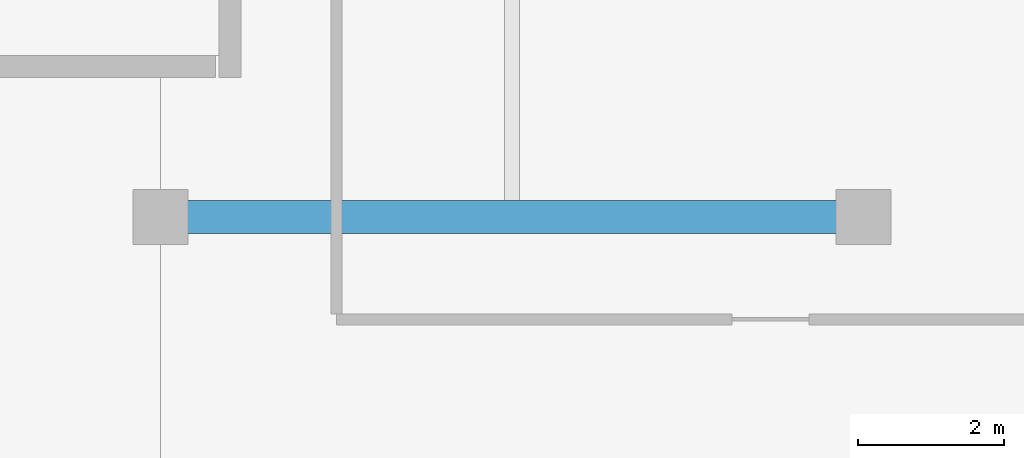
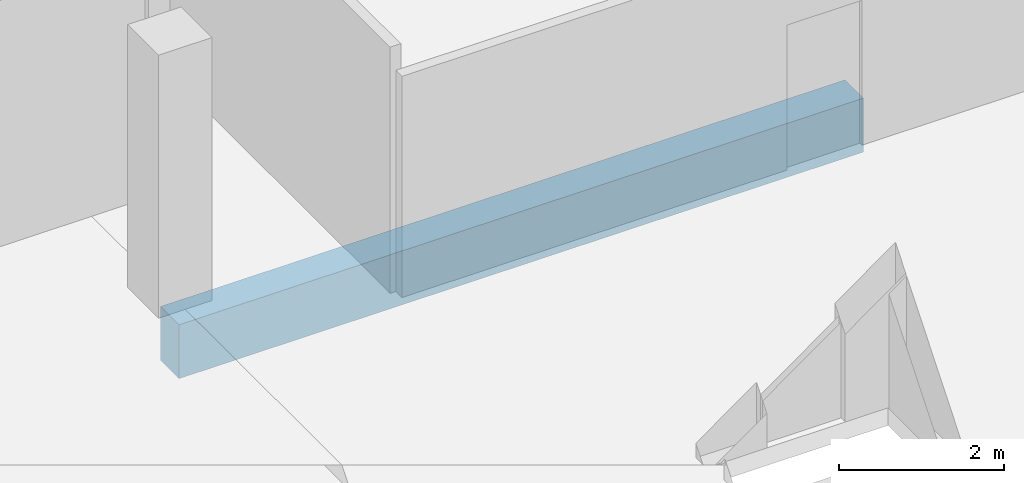
# One storey, part 121 of 188: 1 beam.
"""IFC4 building model written with IfcOpenShell, lengths in metres."""

from ifc_helpers import new_model, si_unit, direction, frame, origin, origin_2d, place, context, subcontext, project, spatial, rectangle, extrude, material, material_profile, profile_set, type_object, element, save


model = new_model("IFC4")

# Units and contexts
model_context = context("Model", 3, precision=1e-05, world=origin(), true_north=direction((0.0, 1.0)))
body_context = subcontext(model_context, "Body", "Model", "MODEL_VIEW")
ifc_project = project(units=[si_unit("LENGTHUNIT", "METRE"), si_unit("AREAUNIT", "SQUARE_METRE"), si_unit("VOLUMEUNIT", "CUBIC_METRE"), si_unit("PLANEANGLEUNIT", "RADIAN"), si_unit("MASSUNIT", "GRAM", prefix="KILO")], contexts=[model_context])

# Site, building, storey
site_placement = place(None, origin())
site = spatial("IfcSite", under=ifc_project, at=site_placement, CompositionType="ELEMENT")
building_placement = place(site_placement, origin())
building = spatial("IfcBuilding", under=site, at=building_placement, Name="Kisaragi Civic Commons", CompositionType="ELEMENT")
storey_placement = place(building_placement, frame((0.0, 0.0, 9.60009765625)))
storey = spatial("IfcBuildingStorey", under=building, at=storey_placement, Name="L02", CompositionType="ELEMENT", Elevation=9.60009765625)

# Beam
ifc_material = material(Name="Concrete Fc30", Category="concrete")
ifc_material_profile = material_profile(ifc_material, rectangle(XDim=0.449951171875, YDim=0.800048828125, at=origin_2d()), Name="RC-450x800", Category="concrete")
ifc_profile_set = profile_set([ifc_material_profile], Name="Concrete Fc30")
beam_type = type_object("IfcBeamType", Name="G-03", PredefinedType="BEAM", material=ifc_profile_set)
beam_placement = place(storey_placement, frame((123.60009765625, 111.60009765625, -0.72021484375), z_axis=(1.0, 0.0, 0.0), x_axis=(0.0, 1.0, 0.0)))
element("IfcBeam", 1, at=beam_placement, inside=storey, type_object=beam_type, Name="L02 girder G-03 308", PredefinedType="BEAM", context=body_context, shape_type="SweptSolid", body=[
    extrude(rectangle(XDim=0.449951171875, YDim=0.800048828125, at=origin_2d()), origin(), (0.0, 0.0, 1.0), 9.599853515625),
])

save(model, "model.ifc")
